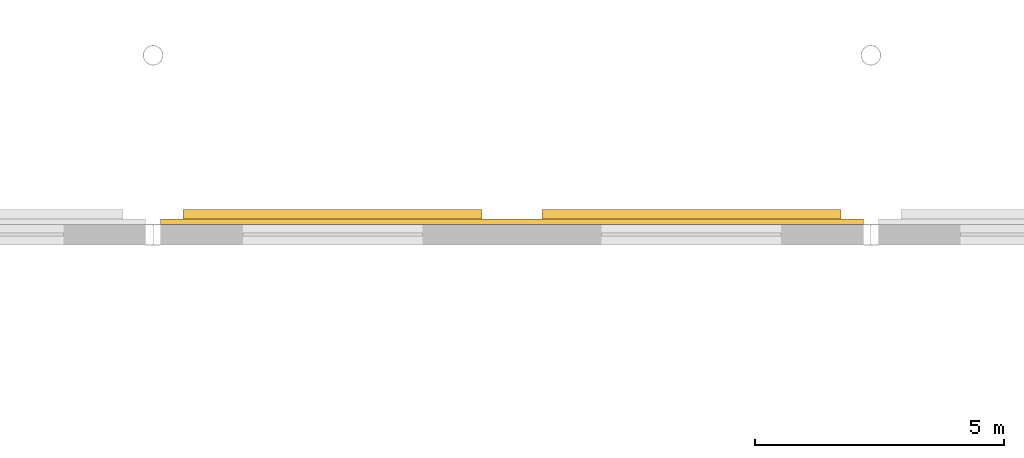
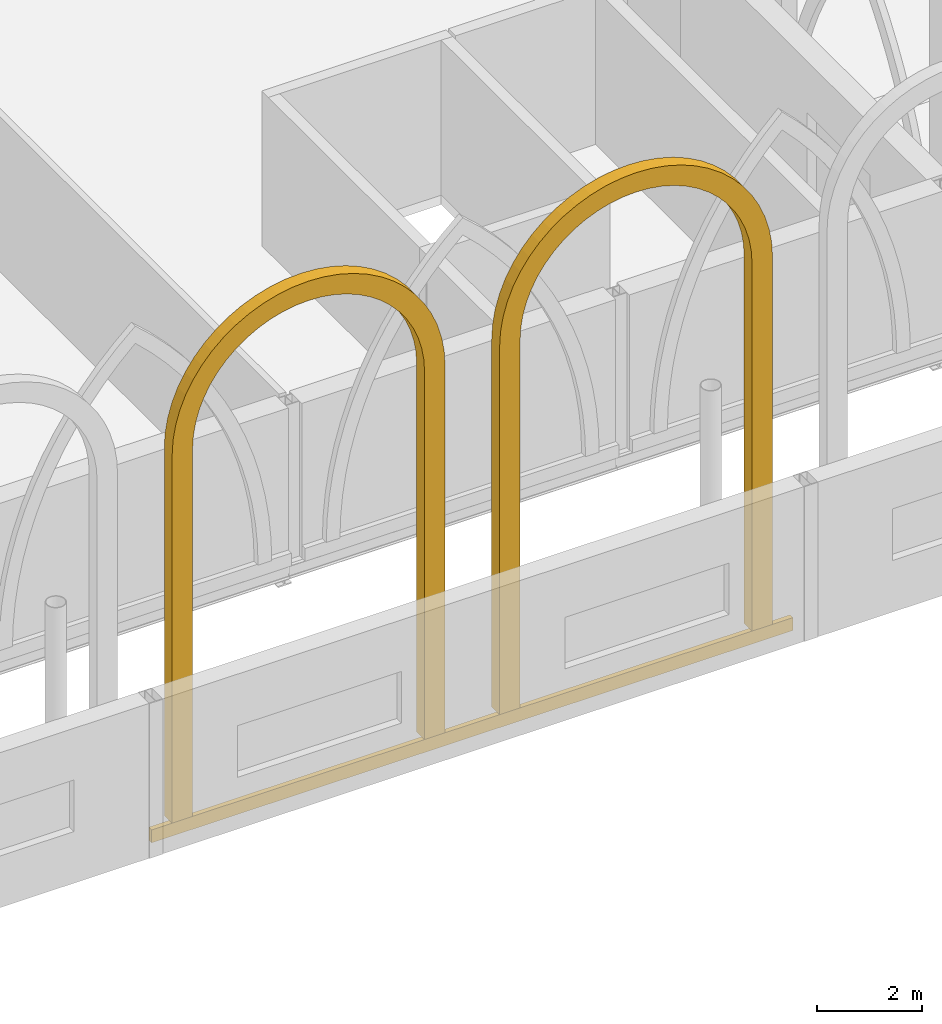
# One storey, part 126 of 143: 3 coverings.
"""IFC4 building model written with IfcOpenShell, lengths in metres."""

from ifc_helpers import new_model, si_unit, direction, frame, origin, origin_2d, place, context, subcontext, project, spatial, polyline, rectangle, outline, extrude, material, layer, layer_set, type_object, element, save


model = new_model("IFC4")

# Units and contexts
model_context = context("Model", 3, precision=1e-05, world=origin(), true_north=direction((0.0, 1.0)))
body_context = subcontext(model_context, "Body", "Model", "MODEL_VIEW")
ifc_project = project(units=[si_unit("LENGTHUNIT", "METRE"), si_unit("AREAUNIT", "SQUARE_METRE"), si_unit("VOLUMEUNIT", "CUBIC_METRE"), si_unit("PLANEANGLEUNIT", "RADIAN"), si_unit("MASSUNIT", "GRAM", prefix="KILO")], contexts=[model_context])

# Site, building, storey
site_placement = place(None, origin())
site = spatial("IfcSite", under=ifc_project, at=site_placement, CompositionType="ELEMENT")
building_placement = place(site_placement, origin())
building = spatial("IfcBuilding", under=site, at=building_placement, Name="Kupolbacken Congress Centre", CompositionType="ELEMENT")
storey_placement = place(building_placement, frame((0.0, 0.0, 7.199951171875)))
storey = spatial("IfcBuildingStorey", under=building, at=storey_placement, Name="L02", CompositionType="ELEMENT", Elevation=7.199951171875)

# Coverings
ifc_material_1 = material(Name="Brick cladding", Category="masonry")
ifc_layer_1 = layer(ifc_material_1, 0.10791015625)
ifc_layer_set_1 = layer_set([ifc_layer_1], Name="Brick cladding")
covering_type_1 = type_object("IfcCoveringType", Name="CV2 brick cladding band 108", PredefinedType="CLADDING", material=ifc_layer_set_1)
covering_1_placement = place(storey_placement, frame((187.199951171875, 115.464111328125, 0.0), z_axis=(0.0, 0.0, 1.0), x_axis=(-1.0, 0.0, 0.0)))
element("IfcCovering", 1, at=covering_1_placement, inside=storey, type_object=covering_type_1, Name="E/H/N/L02/257/band", PredefinedType="CLADDING", context=body_context, shape_type="SweptSolid", body=[
    extrude(rectangle(XDim=14.10009765625, YDim=0.10791015625, at=origin_2d()), origin(), (0.0, 0.0, 1.0), 0.300048828125),
])
ifc_material_2 = material(Name="Limestone cladding", Category="masonry")
ifc_layer_2 = layer(ifc_material_2, 0.300048828125)
ifc_layer_set_2 = layer_set([ifc_layer_2], Name="Limestone cladding")
covering_type_2 = type_object("IfcCoveringType", Name="CV6 limestone arcade arch frame 300", PredefinedType="CLADDING", material=ifc_layer_set_2)
covering_2_placement = place(storey_placement, frame((180.60009765625, 115.409912109375, 0.300048828125), z_axis=(0.0, 1.0, 0.0), x_axis=(-1.0, 0.0, 0.0)))
element("IfcCovering", 2, at=covering_2_placement, inside=storey, type_object=covering_type_2, Name="F/HR/H/N/frame/13", PredefinedType="CLADDING", context=body_context, shape_type="SweptSolid", body=[
    extrude(outline(polyline([(0.0, 0.0), (0.0, 8.550048828125), (-0.018798828125, 8.885986328125), (-0.0751953125, 9.217529296875), (-0.16845703125, 9.540771484375), (-0.297119140625, 9.851806640625), (-0.459716796875, 10.14599609375), (-0.654541015625, 10.42041015625), (-0.878662109375, 10.67138671875), (-1.12939453125, 10.8955078125), (-1.40380859375, 11.090087890625), (-1.6982421875, 11.2529296875), (-2.00927734375, 11.381591796875), (-2.33251953125, 11.474853515625), (-2.6640625, 11.531005859375), (-3.0, 11.550048828125), (-3.3359375, 11.531005859375), (-3.66748046875, 11.474853515625), (-3.99072265625, 11.381591796875), (-4.3017578125, 11.2529296875), (-4.59619140625, 11.090087890625), (-4.87060546875, 10.8955078125), (-5.121337890625, 10.67138671875), (-5.345458984375, 10.42041015625), (-5.540283203125, 10.14599609375), (-5.702880859375, 9.851806640625), (-5.83154296875, 9.540771484375), (-5.9248046875, 9.217529296875), (-5.981201171875, 8.885986328125), (-6.0, 8.550048828125), (-6.0, 0.0), (-5.550048828125, 0.0), (-5.550048828125, 8.550048828125), (-5.533935546875, 8.83544921875), (-5.486083984375, 9.117431640625), (-5.406982421875, 9.39208984375), (-5.297607421875, 9.656494140625), (-5.1591796875, 9.90673828125), (-4.99365234375, 10.139892578125), (-4.802978515625, 10.35302734375), (-4.58984375, 10.543701171875), (-4.356689453125, 10.708984375), (-4.1064453125, 10.847412109375), (-3.84228515625, 10.956787109375), (-3.5673828125, 11.0361328125), (-3.285400390625, 11.083984375), (-3.0, 11.10009765625), (-2.714599609375, 11.083984375), (-2.4326171875, 11.0361328125), (-2.15771484375, 10.956787109375), (-1.8935546875, 10.847412109375), (-1.643310546875, 10.708984375), (-1.41015625, 10.543701171875), (-1.197021484375, 10.35302734375), (-1.00634765625, 10.139892578125), (-0.8408203125, 9.90673828125), (-0.702392578125, 9.656494140625), (-0.593017578125, 9.39208984375), (-0.513916015625, 9.117431640625), (-0.466064453125, 8.83544921875), (-0.449951171875, 8.550048828125), (-0.449951171875, 0.0), (0.0, 0.0)])), origin(), (0.0, 0.0, 1.0), 0.300048828125),
])
covering_3_placement = place(storey_placement, frame((187.800048828125, 115.409912109375, 0.300048828125), z_axis=(0.0, 1.0, 0.0), x_axis=(-1.0, 0.0, 0.0)))
element("IfcCovering", 3, at=covering_3_placement, inside=storey, type_object=covering_type_2, Name="F/HR/H/N/frame/14", PredefinedType="CLADDING", context=body_context, shape_type="SweptSolid", body=[
    extrude(outline(polyline([(0.0, 0.0), (0.0, 8.550048828125), (-0.018798828125, 8.885986328125), (-0.0751953125, 9.217529296875), (-0.16845703125, 9.540771484375), (-0.297119140625, 9.851806640625), (-0.459716796875, 10.14599609375), (-0.654541015625, 10.42041015625), (-0.878662109375, 10.67138671875), (-1.12939453125, 10.8955078125), (-1.40380859375, 11.090087890625), (-1.6982421875, 11.2529296875), (-2.00927734375, 11.381591796875), (-2.33251953125, 11.474853515625), (-2.6640625, 11.531005859375), (-3.0, 11.550048828125), (-3.3359375, 11.531005859375), (-3.66748046875, 11.474853515625), (-3.99072265625, 11.381591796875), (-4.3017578125, 11.2529296875), (-4.59619140625, 11.090087890625), (-4.87060546875, 10.8955078125), (-5.121337890625, 10.67138671875), (-5.345458984375, 10.42041015625), (-5.540283203125, 10.14599609375), (-5.702880859375, 9.851806640625), (-5.83154296875, 9.540771484375), (-5.9248046875, 9.217529296875), (-5.981201171875, 8.885986328125), (-6.0, 8.550048828125), (-6.0, 0.0), (-5.550048828125, 0.0), (-5.550048828125, 8.550048828125), (-5.533935546875, 8.83544921875), (-5.486083984375, 9.117431640625), (-5.406982421875, 9.39208984375), (-5.297607421875, 9.656494140625), (-5.1591796875, 9.90673828125), (-4.99365234375, 10.139892578125), (-4.802978515625, 10.35302734375), (-4.58984375, 10.543701171875), (-4.356689453125, 10.708984375), (-4.1064453125, 10.847412109375), (-3.84228515625, 10.956787109375), (-3.5673828125, 11.0361328125), (-3.285400390625, 11.083984375), (-3.0, 11.10009765625), (-2.714599609375, 11.083984375), (-2.4326171875, 11.0361328125), (-2.15771484375, 10.956787109375), (-1.8935546875, 10.847412109375), (-1.643310546875, 10.708984375), (-1.41015625, 10.543701171875), (-1.197021484375, 10.35302734375), (-1.00634765625, 10.139892578125), (-0.8408203125, 9.90673828125), (-0.702392578125, 9.656494140625), (-0.593017578125, 9.39208984375), (-0.513916015625, 9.117431640625), (-0.466064453125, 8.83544921875), (-0.449951171875, 8.550048828125), (-0.449951171875, 0.0), (0.0, 0.0)])), origin(), (0.0, 0.0, 1.0), 0.300048828125),
])

save(model, "model.ifc")
